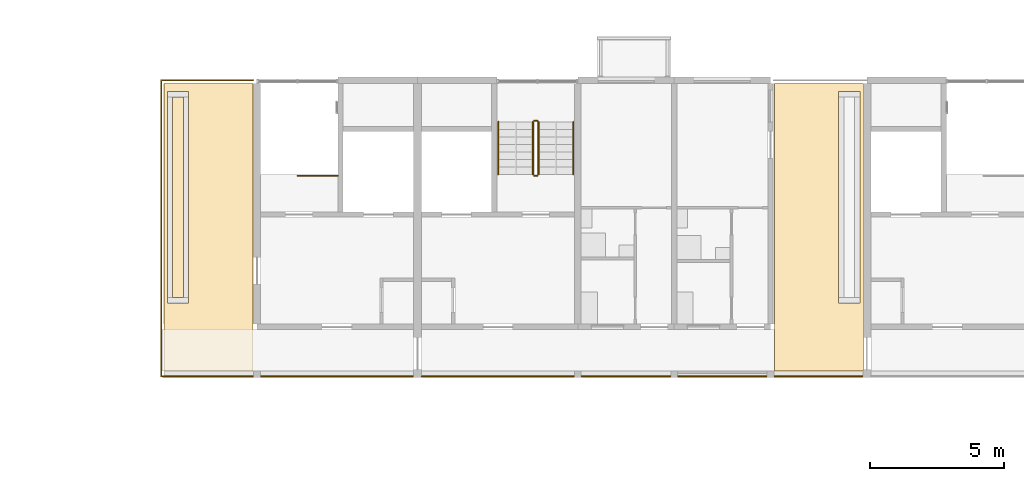
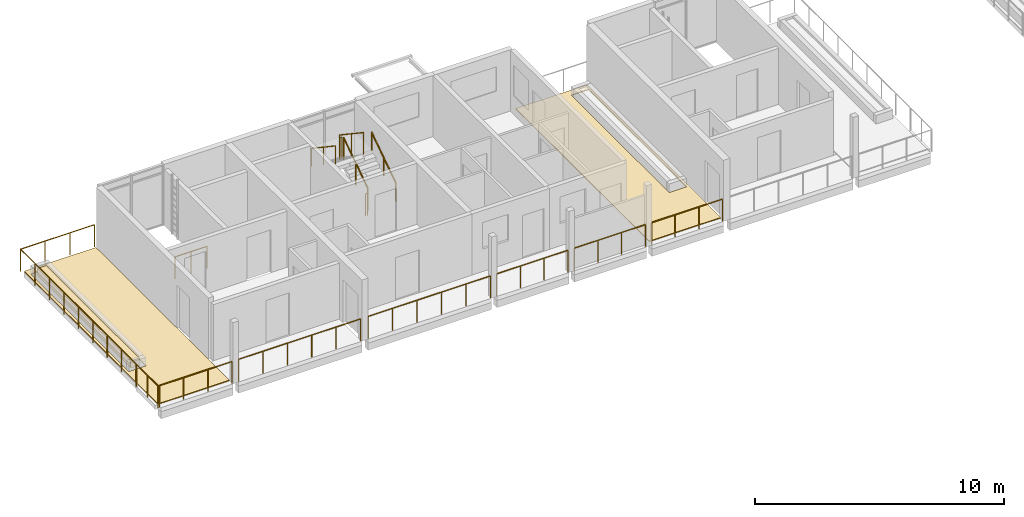
# One storey, part 76 of 94: 15 railings, 5 coverings.
"""IFC4 building model written with IfcOpenShell, lengths in metres."""

import ifcopenshell
import ifcopenshell.guid

model = None  # the IFC model being written
_history = None  # IfcOwnerHistory: only IFC2X3 demands one
_inside = {}  # id of a spatial element -> (the spatial element, [elements in it])
_under = {}  # id of a project, library or spatial element -> (it, [spatial elements below it])
_declared = {}  # id of a project -> (the project, [libraries it declares])
_typed = {}  # id of a type object -> (the type object, [elements of that type])
_made_of = {}  # id of a material, layer set ... -> (it, [elements and type objects made of it])


def new_model(schema):
    """Start an empty IFC model of exactly this schema.

    Asked for "IFC4X3", IfcOpenShell would pick the latest addendum, in which some entities
    have other attributes; the version numbers below select the first issue.
    IFC2X3 requires an IfcOwnerHistory on every rooted entity: one is made here for all.
    """
    global model, _history
    if schema == "IFC4X3":
        model = ifcopenshell.file(schema_version=(4, 3, 0, 0))
    else:
        model = ifcopenshell.file(schema=schema)
    _inside.clear()
    _under.clear()
    _declared.clear()
    _typed.clear()
    _made_of.clear()
    _history = None
    if model.schema == "IFC2X3":
        org = make("IfcOrganization", Name="unknown")
        user = make(
            "IfcPersonAndOrganization",
            ThePerson=make("IfcPerson", FamilyName="unknown"),
            TheOrganization=org,
        )
        app = make(
            "IfcApplication",
            ApplicationDeveloper=org,
            Version="unknown",
            ApplicationFullName="unknown",
            ApplicationIdentifier="unknown",
        )
        _history = make(
            "IfcOwnerHistory",
            OwningUser=user,
            OwningApplication=app,
            ChangeAction="ADDED",
            CreationDate=0,
        )
    return model


def make(cls, **values):
    """One entity of the class cls with the attributes given. An attribute that is None is left unset."""
    return model.create_entity(
        cls, **{name: value for name, value in values.items() if value is not None}
    )


def rooted(cls, **values):
    """An entity with a GlobalId (a new one), such as an element, a storey or a relation."""
    return make(cls, GlobalId=ifcopenshell.guid.new(), OwnerHistory=_history, **values)


def si_unit(unit_type, name, prefix=None):
    """IfcSIUnit, for example si_unit("LENGTHUNIT", "METRE", prefix="MILLI")."""
    return make("IfcSIUnit", UnitType=unit_type, Prefix=prefix, Name=name)


def assignment(units):
    """IfcUnitAssignment: the units of a project."""
    return None if units is None else make("IfcUnitAssignment", Units=units)


def point(xyz):
    """IfcCartesianPoint."""
    return None if xyz is None else make("IfcCartesianPoint", Coordinates=xyz)


def direction(xyz):
    """IfcDirection."""
    return None if xyz is None else make("IfcDirection", DirectionRatios=xyz)


def frame(location, z_axis=None, x_axis=None):
    """IfcAxis2Placement3D, a coordinate frame: its origin and axes. An axis left out is left unset."""
    return make(
        "IfcAxis2Placement3D",
        Location=point(location),
        Axis=direction(z_axis),
        RefDirection=direction(x_axis),
    )


def frame_2d(location, x_axis=None):
    """IfcAxis2Placement2D, a coordinate frame in the plane: its origin and x axis."""
    return make(
        "IfcAxis2Placement2D", Location=point(location), RefDirection=direction(x_axis)
    )


def origin():
    """The frame at (0, 0, 0) with its axes left unset."""
    return frame((0.0, 0.0, 0.0))


def origin_2d():
    """The frame at (0, 0) in the plane with its x axis left unset."""
    return frame_2d((0.0, 0.0))


def place(relative_to, where):
    """IfcLocalPlacement: puts the frame where relative to a parent placement (None: the world)."""
    return make(
        "IfcLocalPlacement", PlacementRelTo=relative_to, RelativePlacement=where
    )


def context(
    kind, dimensions, precision=None, world=None, true_north=None, identifier=None
):
    """IfcGeometricRepresentationContext, for example the 3D "Model" context."""
    return make(
        "IfcGeometricRepresentationContext",
        ContextIdentifier=identifier,
        ContextType=kind,
        CoordinateSpaceDimension=dimensions,
        Precision=precision,
        WorldCoordinateSystem=world,
        TrueNorth=true_north,
    )


def subcontext(parent, identifier, kind, view, scale=None):
    """IfcGeometricRepresentationSubContext, for example "Body" below "Model"."""
    return make(
        "IfcGeometricRepresentationSubContext",
        ContextIdentifier=identifier,
        ContextType=kind,
        ParentContext=parent,
        TargetScale=scale,
        TargetView=view,
    )


def project(units=None, contexts=None):
    """IfcProject with its units and contexts."""
    return rooted(
        "IfcProject",
        Name="project",
        RepresentationContexts=contexts,
        UnitsInContext=assignment(units),
    )


def spatial(cls, under=None, at=None, **own):
    """A site, building, storey or space (cls), placed at a placement, below another one or the project."""
    s = rooted(cls, ObjectPlacement=at, **own)
    if under is not None:
        _under.setdefault(under.id(), (under, []))[1].append(s)
    return s


def polyline(points):
    """IfcPolyline through the points."""
    return make("IfcPolyline", Points=[point(p) for p in points])


def profile(cls, at=None, kind="AREA", **sizes):
    """A parametric profile (cls). Its sizes go by their IFC names, for example OverallWidth=200.0."""
    return make(cls, ProfileType=kind, Position=at, **sizes)


def circle(**sizes):
    """IfcCircleProfileDef."""
    return profile("IfcCircleProfileDef", **sizes)


def outline(outer, holes=None, kind="AREA"):
    """IfcArbitraryClosedProfileDef: a profile drawn as a closed curve; with holes, ...WithVoids."""
    if holes is None:
        return make("IfcArbitraryClosedProfileDef", ProfileType=kind, OuterCurve=outer)
    return make(
        "IfcArbitraryProfileDefWithVoids",
        ProfileType=kind,
        OuterCurve=outer,
        InnerCurves=holes,
    )


def extrude(swept, where, along, depth):
    """IfcExtrudedAreaSolid: the profile swept, set in the frame where, extruded along a direction by depth."""
    return make(
        "IfcExtrudedAreaSolid",
        SweptArea=swept,
        Position=where,
        ExtrudedDirection=direction(along),
        Depth=depth,
    )


def shape(context_of_items, identifier, shape_type, items):
    """IfcShapeRepresentation: the items that make up one representation, for example the "Body"."""
    return make(
        "IfcShapeRepresentation",
        ContextOfItems=context_of_items,
        RepresentationIdentifier=identifier,
        RepresentationType=shape_type,
        Items=items,
    )


def material(Name=None, Category=None):
    """IfcMaterial."""
    return make("IfcMaterial", Name=Name, Category=Category)


def layer(
    of_material, thickness, ventilated=None, Name=None, Category=None, Priority=None
):
    """IfcMaterialLayer: one layer of a wall or slab, of a material (None: an air gap)."""
    return make(
        "IfcMaterialLayer",
        Material=of_material,
        LayerThickness=thickness,
        IsVentilated=ventilated,
        Name=Name,
        Category=Category,
        Priority=Priority,
    )


def layer_set(layers, Name=None):
    """IfcMaterialLayerSet."""
    return make("IfcMaterialLayerSet", MaterialLayers=layers, LayerSetName=Name)


def made_of(thing, what):
    """Note that an element or type object is made of a material, layer set ...; save() writes the relation."""
    if what is not None:
        _made_of.setdefault(what.id(), (what, []))[1].append(thing)
    return thing


def type_object(cls, material=None, **own):
    """A type object (cls), such as IfcWallType, which elements share."""
    return made_of(rooted(cls, **own), material)


def element(
    cls,
    number,
    at=None,
    inside=None,
    cuts=None,
    type_object=None,
    material=None,
    context=None,
    identifier="Body",
    shape_type=None,
    held_by="IfcProductDefinitionShape",
    body=None,
    shapes=None,
    **own,
):
    """One element of the class cls, such as IfcWall. Its Tag is "e" and its number.

    at: its placement. inside: the storey or other place that contains it. cuts: it is an
    opening in that element (IfcRelVoidsElement). A single representation is given by context,
    identifier, shape_type and body (its items); several are given by shapes. held_by: the class
    of the entity that holds the representations. save() writes the other relations.
    """
    e = rooted(cls, Tag="e%d" % number, ObjectPlacement=at, **own)
    if body is not None:
        shapes = [shape(context, identifier, shape_type, body)]
    if shapes is not None:
        e.Representation = make(held_by, Representations=shapes)
    if inside is not None:
        _inside.setdefault(inside.id(), (inside, []))[1].append(e)
    if cuts is not None:
        rooted(
            "IfcRelVoidsElement", RelatingBuildingElement=cuts, RelatedOpeningElement=e
        )
    if type_object is not None:
        _typed.setdefault(type_object.id(), (type_object, []))[1].append(e)
    return made_of(e, material)


def aggregate(whole, parts):
    """IfcRelAggregates: a whole, such as a stair, and the parts it consists of."""
    return rooted("IfcRelAggregates", RelatingObject=whole, RelatedObjects=parts)


def save(model, path):
    """Write the relations noted so far, then the file.

    IfcRelAggregates (storeys below a building ...), IfcRelContainedInSpatialStructure (elements
    in a storey), IfcRelDefinesByType, IfcRelAssociatesMaterial and IfcRelDeclares: one each for
    every whole, place, type object, material and project.
    """
    for whole, parts in _under.values():
        aggregate(whole, parts)
    for where, things in _inside.values():
        rooted(
            "IfcRelContainedInSpatialStructure",
            RelatedElements=things,
            RelatingStructure=where,
        )
    for kind, things in _typed.values():
        rooted("IfcRelDefinesByType", RelatedObjects=things, RelatingType=kind)
    for what, things in _made_of.values():
        rooted("IfcRelAssociatesMaterial", RelatedObjects=things, RelatingMaterial=what)
    for by, libraries in _declared.values():
        rooted("IfcRelDeclares", RelatingContext=by, RelatedDefinitions=libraries)
    model.write(path)


model = new_model("IFC4")

# Units and contexts
model_context = context("Model", 3, precision=1e-05, world=origin(), true_north=direction((0.0, 1.0)))
body_context = subcontext(model_context, "Body", "Model", "MODEL_VIEW")
ifc_project = project(units=[si_unit("LENGTHUNIT", "METRE"), si_unit("AREAUNIT", "SQUARE_METRE"), si_unit("VOLUMEUNIT", "CUBIC_METRE"), si_unit("PLANEANGLEUNIT", "RADIAN"), si_unit("MASSUNIT", "GRAM", prefix="KILO")], contexts=[model_context])

# Site, building, storey
site_placement = place(None, origin())
site = spatial("IfcSite", under=ifc_project, at=site_placement, CompositionType="ELEMENT")
building_placement = place(site_placement, origin())
building = spatial("IfcBuilding", under=site, at=building_placement, Name="Ridgestep Commons", CompositionType="ELEMENT")
storey_placement = place(building_placement, frame((0.0, 0.0, 24.0)))
storey = spatial("IfcBuildingStorey", under=building, at=storey_placement, Name="L08", CompositionType="ELEMENT", Elevation=24.0)

# Railings
ifc_material_1 = material(Name="Structural steel S355JR", Category="steel")
railing_type_1 = type_object("IfcRailingType", Name="Guard 1100", PredefinedType="GUARDRAIL", material=ifc_material_1)
railing_1_placement = place(storey_placement, frame((19.220947265625, 67.821044921875, 0.0)))
element("IfcRailing", 1, at=railing_1_placement, inside=storey, type_object=railing_type_1, Name="Guard TD-B1R3-GD", PredefinedType="GUARDRAIL", context=body_context, shape_type="SweptSolid", body=[
    extrude(circle(Radius=0.02392578125, at=origin_2d()), frame((0.0, 0.0, 1.076171875), z_axis=(0.0, 1.0, 0.0), x_axis=(-1.0, 0.0, 0.0)), (0.0, 0.0, 1.0), 9.303955078125),
    extrude(circle(Radius=0.02392578125, at=origin_2d()), frame((0.0, 9.303955078125, 1.076171875), z_axis=(1.0, 0.0, 0.0), x_axis=(0.0, 1.0, 0.0)), (0.0, 0.0, 1.0), 3.43310546875),
    extrude(circle(Radius=0.02099609375, at=origin_2d()), origin(), (0.0, 0.0, 1.0), 1.052001953125),
    extrude(circle(Radius=0.02099609375, at=origin_2d()), frame((0.0, 1.1630859375, 0.0)), (0.0, 0.0, 1.0), 1.052001953125),
    extrude(circle(Radius=0.02099609375, at=origin_2d()), frame((0.0, 2.325927734375, 0.0)), (0.0, 0.0, 1.0), 1.052001953125),
    extrude(circle(Radius=0.02099609375, at=origin_2d()), frame((0.0, 3.489013671875, 0.0)), (0.0, 0.0, 1.0), 1.052001953125),
    extrude(circle(Radius=0.02099609375, at=origin_2d()), frame((0.0, 4.65185546875, 0.0)), (0.0, 0.0, 1.0), 1.052001953125),
    extrude(circle(Radius=0.02099609375, at=origin_2d()), frame((0.0, 5.81494140625, 0.0)), (0.0, 0.0, 1.0), 1.052001953125),
    extrude(circle(Radius=0.02099609375, at=origin_2d()), frame((0.0, 6.97802734375, 0.0)), (0.0, 0.0, 1.0), 1.052001953125),
    extrude(circle(Radius=0.02099609375, at=origin_2d()), frame((0.0, 8.140869140625, 0.0)), (0.0, 0.0, 1.0), 1.052001953125),
    extrude(circle(Radius=0.02099609375, at=origin_2d()), frame((0.0, 9.303955078125, 0.0)), (0.0, 0.0, 1.0), 1.052001953125),
    extrude(circle(Radius=0.02099609375, at=origin_2d()), frame((1.144287109375, 9.303955078125, 0.0)), (0.0, 0.0, 1.0), 1.052001953125),
    extrude(circle(Radius=0.02099609375, at=origin_2d()), frame((2.288818359375, 9.303955078125, 0.0)), (0.0, 0.0, 1.0), 1.052001953125),
    extrude(circle(Radius=0.02099609375, at=origin_2d()), frame((3.43310546875, 9.303955078125, 0.0)), (0.0, 0.0, 1.0), 1.052001953125),
])
railing_2_placement = place(storey_placement, frame((19.283935546875, 66.050048828125, 0.0)))
element("IfcRailing", 2, at=railing_2_placement, inside=storey, type_object=railing_type_1, Name="Gallery guard B 08.1", PredefinedType="GUARDRAIL", context=body_context, shape_type="SweptSolid", body=[
    extrude(circle(Radius=0.02392578125, at=origin_2d()), frame((0.0, 0.0, 1.076171875), z_axis=(1.0, 0.0, 0.0), x_axis=(0.0, 1.0, 0.0)), (0.0, 0.0, 1.0), 3.3701171875),
    extrude(circle(Radius=0.02099609375, at=origin_2d()), origin(), (0.0, 0.0, 1.0), 1.052001953125),
    extrude(circle(Radius=0.02099609375, at=origin_2d()), frame((1.123291015625, 0.0, 0.0)), (0.0, 0.0, 1.0), 1.052001953125),
    extrude(circle(Radius=0.02099609375, at=origin_2d()), frame((2.246826171875, 0.0, 0.0)), (0.0, 0.0, 1.0), 1.052001953125),
    extrude(circle(Radius=0.02099609375, at=origin_2d()), frame((3.3701171875, 0.0, 0.0)), (0.0, 0.0, 1.0), 1.052001953125),
])
railing_3_placement = place(storey_placement, frame((19.220947265625, 66.050048828125, 0.0)))
element("IfcRailing", 3, at=railing_3_placement, inside=storey, type_object=railing_type_1, Name="Gallery end guard B 08.1W", PredefinedType="GUARDRAIL", context=body_context, shape_type="SweptSolid", body=[
    extrude(circle(Radius=0.02392578125, at=origin_2d()), frame((0.0, 0.0, 1.076171875), z_axis=(0.0, 1.0, 0.0), x_axis=(-1.0, 0.0, 0.0)), (0.0, 0.0, 1.0), 1.72900390625),
    extrude(circle(Radius=0.02099609375, at=origin_2d()), origin(), (0.0, 0.0, 1.0), 1.052001953125),
    extrude(circle(Radius=0.02099609375, at=origin_2d()), frame((0.0, 0.864501953125, 0.0)), (0.0, 0.0, 1.0), 1.052001953125),
    extrude(circle(Radius=0.02099609375, at=origin_2d()), frame((0.0, 1.72900390625, 0.0)), (0.0, 0.0, 1.0), 1.052001953125),
])
railing_4_placement = place(storey_placement, frame((22.946044921875, 66.050048828125, 0.0)))
element("IfcRailing", 4, at=railing_4_placement, inside=storey, type_object=railing_type_1, Name="Gallery guard B 08.2", PredefinedType="GUARDRAIL", context=body_context, shape_type="SweptSolid", body=[
    extrude(circle(Radius=0.02392578125, at=origin_2d()), frame((0.0, 0.0, 1.076171875), z_axis=(1.0, 0.0, 0.0), x_axis=(0.0, 1.0, 0.0)), (0.0, 0.0, 1.0), 5.682861328125),
    extrude(circle(Radius=0.02099609375, at=origin_2d()), origin(), (0.0, 0.0, 1.0), 1.052001953125),
    extrude(circle(Radius=0.02099609375, at=origin_2d()), frame((1.136474609375, 0.0, 0.0)), (0.0, 0.0, 1.0), 1.052001953125),
    extrude(circle(Radius=0.02099609375, at=origin_2d()), frame((2.273193359375, 0.0, 0.0)), (0.0, 0.0, 1.0), 1.052001953125),
    extrude(circle(Radius=0.02099609375, at=origin_2d()), frame((3.40966796875, 0.0, 0.0)), (0.0, 0.0, 1.0), 1.052001953125),
    extrude(circle(Radius=0.02099609375, at=origin_2d()), frame((4.54638671875, 0.0, 0.0)), (0.0, 0.0, 1.0), 1.052001953125),
    extrude(circle(Radius=0.02099609375, at=origin_2d()), frame((5.682861328125, 0.0, 0.0)), (0.0, 0.0, 1.0), 1.052001953125),
])
railing_5_placement = place(storey_placement, frame((28.970947265625, 66.050048828125, 0.0)))
element("IfcRailing", 5, at=railing_5_placement, inside=storey, type_object=railing_type_1, Name="Gallery guard B 08.3", PredefinedType="GUARDRAIL", context=body_context, shape_type="SweptSolid", body=[
    extrude(circle(Radius=0.02392578125, at=origin_2d()), frame((0.0, 0.0, 1.076171875), z_axis=(1.0, 0.0, 0.0), x_axis=(0.0, 1.0, 0.0)), (0.0, 0.0, 1.0), 5.68310546875),
    extrude(circle(Radius=0.02099609375, at=origin_2d()), origin(), (0.0, 0.0, 1.0), 1.052001953125),
    extrude(circle(Radius=0.02099609375, at=origin_2d()), frame((1.13671875, 0.0, 0.0)), (0.0, 0.0, 1.0), 1.052001953125),
    extrude(circle(Radius=0.02099609375, at=origin_2d()), frame((2.273193359375, 0.0, 0.0)), (0.0, 0.0, 1.0), 1.052001953125),
    extrude(circle(Radius=0.02099609375, at=origin_2d()), frame((3.409912109375, 0.0, 0.0)), (0.0, 0.0, 1.0), 1.052001953125),
    extrude(circle(Radius=0.02099609375, at=origin_2d()), frame((4.54638671875, 0.0, 0.0)), (0.0, 0.0, 1.0), 1.052001953125),
    extrude(circle(Radius=0.02099609375, at=origin_2d()), frame((5.68310546875, 0.0, 0.0)), (0.0, 0.0, 1.0), 1.052001953125),
])
railing_6_placement = place(storey_placement, frame((34.946044921875, 66.050048828125, 0.0)))
element("IfcRailing", 6, at=railing_6_placement, inside=storey, type_object=railing_type_1, Name="Gallery guard B 08.4", PredefinedType="GUARDRAIL", context=body_context, shape_type="SweptSolid", body=[
    extrude(circle(Radius=0.02392578125, at=origin_2d()), frame((0.0, 0.0, 1.076171875), z_axis=(1.0, 0.0, 0.0), x_axis=(0.0, 1.0, 0.0)), (0.0, 0.0, 1.0), 3.307861328125),
    extrude(circle(Radius=0.02099609375, at=origin_2d()), origin(), (0.0, 0.0, 1.0), 1.052001953125),
    extrude(circle(Radius=0.02099609375, at=origin_2d()), frame((1.1025390625, 0.0, 0.0)), (0.0, 0.0, 1.0), 1.052001953125),
    extrude(circle(Radius=0.02099609375, at=origin_2d()), frame((2.205322265625, 0.0, 0.0)), (0.0, 0.0, 1.0), 1.052001953125),
    extrude(circle(Radius=0.02099609375, at=origin_2d()), frame((3.307861328125, 0.0, 0.0)), (0.0, 0.0, 1.0), 1.052001953125),
])
railing_7_placement = place(storey_placement, frame((38.5458984375, 66.050048828125, 0.0)))
element("IfcRailing", 7, at=railing_7_placement, inside=storey, type_object=railing_type_1, Name="Gallery guard B 08.5", PredefinedType="GUARDRAIL", context=body_context, shape_type="SweptSolid", body=[
    extrude(circle(Radius=0.02392578125, at=origin_2d()), frame((0.0, 0.0, 1.076171875), z_axis=(1.0, 0.0, 0.0), x_axis=(0.0, 1.0, 0.0)), (0.0, 0.0, 1.0), 3.30810546875),
    extrude(circle(Radius=0.02099609375, at=origin_2d()), origin(), (0.0, 0.0, 1.0), 1.052001953125),
    extrude(circle(Radius=0.02099609375, at=origin_2d()), frame((1.102783203125, 0.0, 0.0)), (0.0, 0.0, 1.0), 1.052001953125),
    extrude(circle(Radius=0.02099609375, at=origin_2d()), frame((2.205322265625, 0.0, 0.0)), (0.0, 0.0, 1.0), 1.052001953125),
    extrude(circle(Radius=0.02099609375, at=origin_2d()), frame((3.30810546875, 0.0, 0.0)), (0.0, 0.0, 1.0), 1.052001953125),
])
railing_8_placement = place(storey_placement, frame((42.14599609375, 66.050048828125, 0.0)))
element("IfcRailing", 8, at=railing_8_placement, inside=storey, type_object=railing_type_1, Name="Gallery guard B 08.6", PredefinedType="GUARDRAIL", context=body_context, shape_type="SweptSolid", body=[
    extrude(circle(Radius=0.02392578125, at=origin_2d()), frame((0.0, 0.0, 1.076171875), z_axis=(1.0, 0.0, 0.0), x_axis=(0.0, 1.0, 0.0)), (0.0, 0.0, 1.0), 3.282958984375),
    extrude(circle(Radius=0.02099609375, at=origin_2d()), origin(), (0.0, 0.0, 1.0), 1.052001953125),
    extrude(circle(Radius=0.02099609375, at=origin_2d()), frame((1.09423828125, 0.0, 0.0)), (0.0, 0.0, 1.0), 1.052001953125),
    extrude(circle(Radius=0.02099609375, at=origin_2d()), frame((2.188720703125, 0.0, 0.0)), (0.0, 0.0, 1.0), 1.052001953125),
    extrude(circle(Radius=0.02099609375, at=origin_2d()), frame((3.282958984375, 0.0, 0.0)), (0.0, 0.0, 1.0), 1.052001953125),
])

# Covering
ifc_material_2 = material(Name="Planting soil")
ifc_layer_1 = layer(ifc_material_2, 0.35009765625)
ifc_layer_set_1 = layer_set([ifc_layer_1], Name="Planting soil 350")
covering_type_1 = type_object("IfcCoveringType", Name="Planting soil 350", PredefinedType="FLOORING", material=ifc_layer_set_1)
covering_1_placement = place(storey_placement, frame((0.0, 0.0, 0.010009765625)))
element("IfcCovering", 9, at=covering_1_placement, inside=storey, type_object=covering_type_1, Name="Planting soil B1R3", PredefinedType="FLOORING", context=body_context, shape_type="SweptSolid", body=[
    extrude(outline(polyline([(19.64990234375, 69.0), (20.050048828125, 69.0), (20.050048828125, 76.5), (19.64990234375, 76.5), (19.64990234375, 69.0)])), origin(), (0.0, 0.0, 1.0), 0.35009765625),
])

# Railings
ifc_material_3 = material(Name="Structural steel S355JR", Category="steel")
railing_type_2 = type_object("IfcRailingType", Name="Stair guard 1100", PredefinedType="GUARDRAIL", material=ifc_material_3)
railing_9_placement = place(storey_placement, frame((25.824951171875, 73.550048828125, 0.0)))
element("IfcRailing", 10, at=railing_9_placement, inside=storey, type_object=railing_type_2, Name="L08 B1C top well guard 1", PredefinedType="GUARDRAIL", context=body_context, shape_type="SweptSolid", body=[
    extrude(circle(Radius=0.02392578125, at=origin_2d()), frame((0.0, 0.0, 1.076171875), z_axis=(-1.0, 0.0, 0.0), x_axis=(0.0, -1.0, 0.0)), (0.0, 0.0, 1.0), 1.5),
    extrude(circle(Radius=0.02099609375, at=origin_2d()), origin(), (0.0, 0.0, 1.0), 1.052001953125),
    extrude(circle(Radius=0.02099609375, at=origin_2d()), frame((-0.75, 0.0, 0.0)), (0.0, 0.0, 1.0), 1.052001953125),
    extrude(circle(Radius=0.02099609375, at=origin_2d()), frame((-1.5, 0.0, 0.0)), (0.0, 0.0, 1.0), 1.052001953125),
])
railing_10_placement = place(storey_placement, frame((33.324951171875, 73.60009765625, 0.1875)))
element("IfcRailing", 11, at=railing_10_placement, inside=storey, type_object=railing_type_2, Name="L08 B2C stair guard 1", PredefinedType="GUARDRAIL", context=body_context, shape_type="SweptSolid", body=[
    extrude(circle(Radius=0.02392578125, at=origin_2d()), frame((0.0, 0.0, 1.076171875), z_axis=(0.0, 0.830902050051, 0.556418712142), x_axis=(-1.0, 0.0, 0.0)), (0.0, 0.0, 1.0), 2.35888671875),
    extrude(circle(Radius=0.02099609375, at=origin_2d()), origin(), (0.0, 0.0, 1.0), 1.052001953125),
    extrude(circle(Radius=0.02099609375, at=origin_2d()), frame((0.0, 0.97998046875, 0.65625)), (0.0, 0.0, 1.0), 1.052001953125),
    extrude(circle(Radius=0.02099609375, at=origin_2d()), frame((0.0, 1.9599609375, 1.3125)), (0.0, 0.0, 1.0), 1.052001953125),
])
railing_11_placement = place(storey_placement, frame((33.27490234375, 75.610107421875, 1.5)))
element("IfcRailing", 12, at=railing_11_placement, inside=storey, type_object=railing_type_2, Name="L08 B2C stair guard 2", PredefinedType="GUARDRAIL", context=body_context, shape_type="SweptSolid", body=[
    extrude(circle(Radius=0.02392578125, at=origin_2d()), frame((0.0, 0.0, 1.076171875), z_axis=(-1.0, 0.0, 0.0), x_axis=(0.0, -1.0, 0.0)), (0.0, 0.0, 1.0), 0.099853515625),
    extrude(circle(Radius=0.02099609375, at=origin_2d()), origin(), (0.0, 0.0, 1.0), 1.052001953125),
    extrude(circle(Radius=0.02099609375, at=origin_2d()), frame((-0.099853515625, 0.0, 0.0)), (0.0, 0.0, 1.0), 1.052001953125),
])
railing_12_placement = place(storey_placement, frame((33.125, 75.56005859375, 1.6875)))
element("IfcRailing", 13, at=railing_12_placement, inside=storey, type_object=railing_type_2, Name="L08 B2C stair guard 3", PredefinedType="GUARDRAIL", context=body_context, shape_type="SweptSolid", body=[
    extrude(circle(Radius=0.02392578125, at=origin_2d()), frame((0.0, 0.0, 1.076171875), z_axis=(0.0, -0.830902050051, 0.556418712142), x_axis=(1.0, 0.0, 0.0)), (0.0, 0.0, 1.0), 2.35888671875),
    extrude(circle(Radius=0.02099609375, at=origin_2d()), origin(), (0.0, 0.0, 1.0), 1.052001953125),
    extrude(circle(Radius=0.02099609375, at=origin_2d()), frame((0.0, -0.97998046875, 0.65625)), (0.0, 0.0, 1.0), 1.052001953125),
    extrude(circle(Radius=0.02099609375, at=origin_2d()), frame((0.0, -1.9599609375, 1.3125)), (0.0, 0.0, 1.0), 1.052001953125),
])
railing_13_placement = place(storey_placement, frame((33.27490234375, 73.550048828125, 0.0)))
element("IfcRailing", 14, at=railing_13_placement, inside=storey, type_object=railing_type_2, Name="L08 B2C stair guard 4", PredefinedType="GUARDRAIL", context=body_context, shape_type="SweptSolid", body=[
    extrude(circle(Radius=0.02392578125, at=origin_2d()), frame((0.0, 0.0, 1.076171875), z_axis=(-1.0, 0.0, 0.0), x_axis=(0.0, -1.0, 0.0)), (0.0, 0.0, 1.0), 0.099853515625),
    extrude(circle(Radius=0.02099609375, at=origin_2d()), origin(), (0.0, 0.0, 1.0), 1.052001953125),
    extrude(circle(Radius=0.02099609375, at=origin_2d()), frame((-0.099853515625, 0.0, 0.0)), (0.0, 0.0, 1.0), 1.052001953125),
])
ifc_material_4 = material(Name="Structural steel S355JR", Category="steel")
railing_type_3 = type_object("IfcRailingType", Name="Stair handrail 900", PredefinedType="HANDRAIL", material=ifc_material_4)
railing_14_placement = place(storey_placement, frame((34.625, 73.60009765625, 0.1875)))
element("IfcRailing", 15, at=railing_14_placement, inside=storey, type_object=railing_type_3, Name="L08 B2C stair handrail 1", PredefinedType="HANDRAIL", context=body_context, shape_type="SweptSolid", body=[
    extrude(circle(Radius=0.02392578125, at=origin_2d()), frame((0.0, 0.0, 0.8759765625), z_axis=(0.0, 0.830902050051, 0.556418712142), x_axis=(-1.0, 0.0, 0.0)), (0.0, 0.0, 1.0), 2.35888671875),
    extrude(circle(Radius=0.02099609375, at=origin_2d()), origin(), (0.0, 0.0, 1.0), 0.851806640625),
    extrude(circle(Radius=0.02099609375, at=origin_2d()), frame((0.0, 0.97998046875, 0.65625)), (0.0, 0.0, 1.0), 0.851806640625),
    extrude(circle(Radius=0.02099609375, at=origin_2d()), frame((0.0, 1.9599609375, 1.3125)), (0.0, 0.0, 1.0), 0.851806640625),
])
railing_15_placement = place(storey_placement, frame((31.824951171875, 75.56005859375, 1.6875)))
element("IfcRailing", 16, at=railing_15_placement, inside=storey, type_object=railing_type_3, Name="L08 B2C stair handrail 2", PredefinedType="HANDRAIL", context=body_context, shape_type="SweptSolid", body=[
    extrude(circle(Radius=0.02392578125, at=origin_2d()), frame((0.0, 0.0, 0.8759765625), z_axis=(0.0, -0.830902050051, 0.556418712142), x_axis=(1.0, 0.0, 0.0)), (0.0, 0.0, 1.0), 2.35888671875),
    extrude(circle(Radius=0.02099609375, at=origin_2d()), origin(), (0.0, 0.0, 1.0), 0.851806640625),
    extrude(circle(Radius=0.02099609375, at=origin_2d()), frame((0.0, -0.97998046875, 0.65625)), (0.0, 0.0, 1.0), 0.851806640625),
    extrude(circle(Radius=0.02099609375, at=origin_2d()), frame((0.0, -1.9599609375, 1.3125)), (0.0, 0.0, 1.0), 0.851806640625),
])

# Coverings
ifc_material_5 = material(Name="Bitumen membrane, two layer")
ifc_layer_2 = layer(ifc_material_5, 0.010009765625)
ifc_layer_set_2 = layer_set([ifc_layer_2], Name="Terrace membrane 10")
covering_type_2 = type_object("IfcCoveringType", Name="Terrace membrane 10", PredefinedType="ROOFING", material=ifc_layer_set_2)
covering_2_placement = place(storey_placement, origin())
element("IfcCovering", 17, at=covering_2_placement, inside=storey, type_object=covering_type_2, Name="Terrace membrane B1R3", PredefinedType="ROOFING", context=body_context, shape_type="SweptSolid", body=[
    extrude(outline(polyline([(22.64990234375, 66.25), (22.64990234375, 77.0), (19.324951171875, 77.0), (19.324951171875, 66.25), (22.64990234375, 66.25)]), holes=[polyline([(20.25, 68.800048828125), (20.25, 76.699951171875), (19.449951171875, 76.699951171875), (19.449951171875, 68.800048828125), (20.25, 68.800048828125)])]), origin(), (0.0, 0.0, 1.0), 0.010009765625),
])
covering_3_placement = place(storey_placement, origin())
element("IfcCovering", 18, at=covering_3_placement, inside=storey, type_object=covering_type_2, Name="Terrace membrane B2R1", PredefinedType="ROOFING", context=body_context, shape_type="SweptSolid", body=[
    extrude(outline(polyline([(45.47509765625, 66.25), (45.47509765625, 77.0), (42.14990234375, 77.0), (42.14990234375, 66.25), (45.47509765625, 66.25)]), holes=[polyline([(45.35009765625, 68.800048828125), (45.35009765625, 76.699951171875), (44.550048828125, 76.699951171875), (44.550048828125, 68.800048828125), (45.35009765625, 68.800048828125)])]), origin(), (0.0, 0.0, 1.0), 0.010009765625),
])
ifc_material_6 = material(Name="Concrete paving slab", Category="concrete")
ifc_layer_3 = layer(ifc_material_6, 0.030029296875)
ifc_layer_set_3 = layer_set([ifc_layer_3], Name="Terrace paving 30")
covering_type_3 = type_object("IfcCoveringType", Name="Terrace paving 30", PredefinedType="FLOORING", material=ifc_layer_set_3)
covering_4_placement = place(storey_placement, frame((0.0, 0.0, 0.010009765625)))
element("IfcCovering", 19, at=covering_4_placement, inside=storey, type_object=covering_type_3, Name="Terrace paving B1R3", PredefinedType="FLOORING", context=body_context, shape_type="SweptSolid", body=[
    extrude(outline(polyline([(22.64990234375, 66.25), (22.64990234375, 77.0), (19.324951171875, 77.0), (19.324951171875, 66.25), (22.64990234375, 66.25)]), holes=[polyline([(20.25, 68.800048828125), (20.25, 76.699951171875), (19.449951171875, 76.699951171875), (19.449951171875, 68.800048828125), (20.25, 68.800048828125)])]), origin(), (0.0, 0.0, 1.0), 0.030029296875),
])
covering_5_placement = place(storey_placement, frame((0.0, 0.0, 0.010009765625)))
element("IfcCovering", 20, at=covering_5_placement, inside=storey, type_object=covering_type_3, Name="Terrace paving B2R1", PredefinedType="FLOORING", context=body_context, shape_type="SweptSolid", body=[
    extrude(outline(polyline([(45.47509765625, 66.25), (45.47509765625, 77.0), (42.14990234375, 77.0), (42.14990234375, 66.25), (45.47509765625, 66.25)]), holes=[polyline([(45.35009765625, 68.800048828125), (45.35009765625, 76.699951171875), (44.550048828125, 76.699951171875), (44.550048828125, 68.800048828125), (45.35009765625, 68.800048828125)])]), origin(), (0.0, 0.0, 1.0), 0.030029296875),
])

save(model, "model.ifc")
